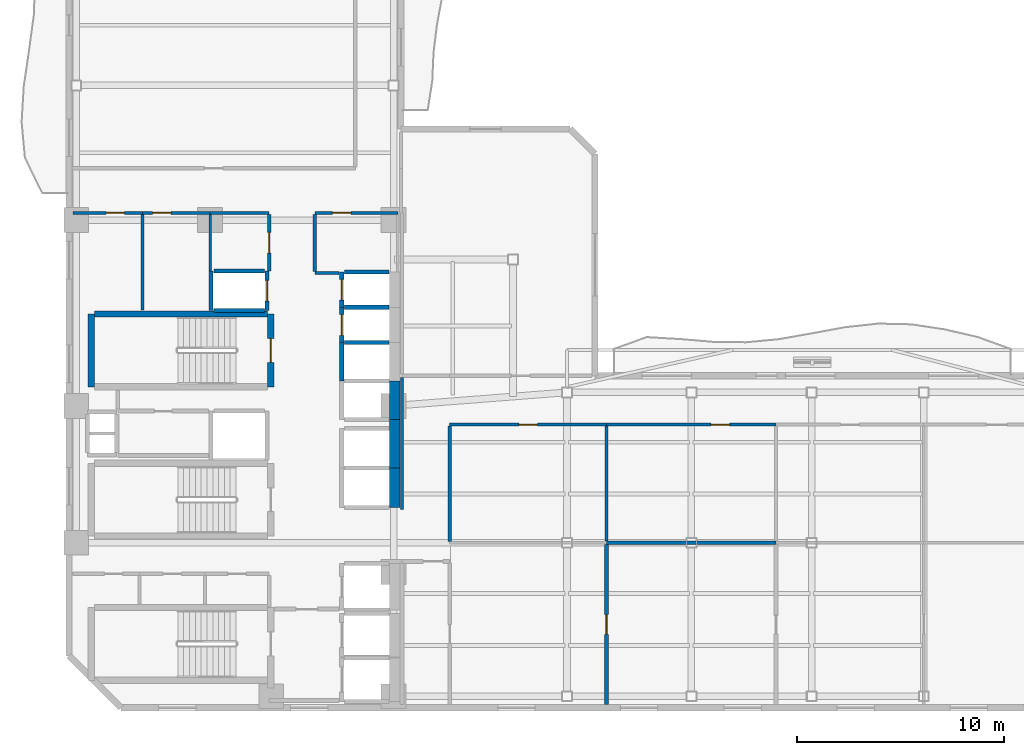
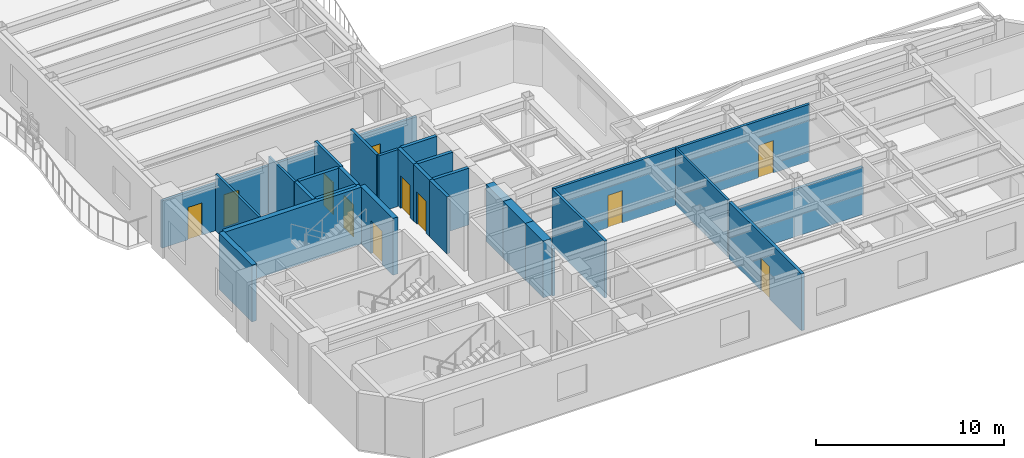
# One storey, part 4 of 9: 32 walls, 11 doors, 11 openings.
"""IFC4 building model written with IfcOpenShell, lengths in metres."""

from ifc_helpers import new_model, si_unit, direction, frame, frame_2d, origin, place, context, subcontext, project, spatial, rectangle, extrude, material, layer, layer_set, type_object, element, fill, save


model = new_model("IFC4")

# Units and contexts
model_context = context("Model", 3, precision=1e-05, world=origin(), true_north=direction((0.0, 1.0)))
body_context = subcontext(model_context, "Body", "Model", "MODEL_VIEW")
ifc_project = project(units=[si_unit("LENGTHUNIT", "METRE"), si_unit("AREAUNIT", "SQUARE_METRE"), si_unit("VOLUMEUNIT", "CUBIC_METRE"), si_unit("PLANEANGLEUNIT", "RADIAN"), si_unit("MASSUNIT", "GRAM", prefix="KILO")], contexts=[model_context])

# Site, building, storey
site_placement = place(None, origin())
site = spatial("IfcSite", under=ifc_project, at=site_placement, CompositionType="ELEMENT")
building_placement = place(site_placement, origin())
building = spatial("IfcBuilding", under=site, at=building_placement, Name="Mawjaban Terraces University", CompositionType="ELEMENT")
storey_placement = place(building_placement, frame((0.0, 0.0, 126.800048828125)))
storey = spatial("IfcBuildingStorey", under=building, at=storey_placement, Name="L30", CompositionType="ELEMENT", Elevation=126.800048828125)

# Wall
ifc_material_1 = material(Name="Acoustic masonry blockwork", Category="masonry")
ifc_layer_1 = layer(ifc_material_1, 0.179931640625)
ifc_layer_set_1 = layer_set([ifc_layer_1], Name="Acoustic masonry blockwork")
wall_type_1 = type_object("IfcWallType", Name="AcousticStudioWall_180", PredefinedType="PARTITIONING", material=ifc_layer_set_1)
wall_1_placement = place(storey_placement, frame((56.080078125, 7.949951171875, 0.0), z_axis=(0.0, 0.0, 1.0), x_axis=(-1.0, 0.0, 0.0)))
element("IfcWall", 1, at=wall_1_placement, inside=storey, type_object=wall_type_1, Name="L30 Media Workshop 4 Partition 21", PredefinedType="PARTITIONING", context=body_context, shape_type="SweptSolid", body=[
    extrude(rectangle(XDim=8.170166015625, YDim=0.179931640625, at=frame_2d((4.0849609375, 0.0))), origin(), (0.0, 0.0, 1.0), 3.073974609375),
])

# Wall, opening, door
wall_2_placement = place(storey_placement, frame((47.909912109375, 0.14501953125, 0.0), z_axis=(0.0, 0.0, 1.0), x_axis=(0.0, 1.0, 0.0)))
wall_2 = element("IfcWall", 2, at=wall_2_placement, inside=storey, type_object=wall_type_1, Name="L30 Quiet Reading Room 2 Partition 44", PredefinedType="PARTITIONING", context=body_context, shape_type="SweptSolid", body=[
    extrude(rectangle(XDim=7.719970703125, YDim=0.179931640625, at=frame_2d((3.85986328125, 0.0))), origin(), (0.0, 0.0, 1.0), 3.68994140625),
])
opening_1_placement = place(wall_2_placement, frame((3.385009765625, 0.0, 0.0)))
opening_1 = element("IfcOpeningElement", 3, at=opening_1_placement, cuts=wall_2, Name="Opening ID-095", PredefinedType="OPENING", context=body_context, shape_type="SweptSolid", body=[
    extrude(rectangle(XDim=0.949951171875, YDim=2.10009765625, at=frame_2d((0.47509765625, 1.050048828125))), frame((0.0, 0.099853515625, 0.0), z_axis=(0.0, -1.0, 0.0), x_axis=(1.0, 0.0, 0.0)), (0.0, 0.0, 1.0), 0.199951171875),
])
ifc_material_2 = material(Name="Powder-coated steel frame and solid acoustic timber leaf", Category="steel")
door_type_1 = type_object("IfcDoorType", Name="StudioDoor_950x2100", OperationType="NOTDEFINED", PredefinedType="DOOR", material=ifc_material_2)
door_1_placement = place(opening_1_placement, origin())
door_1 = element("IfcDoor", 4, at=door_1_placement, inside=storey, type_object=door_type_1, Name="L30 Media Workshop 4 Door", OperationType="SINGLE_SWING_RIGHT", OverallHeight=2.10009765625, OverallWidth=0.949951171875, PredefinedType="DOOR", context=body_context, shape_type="SweptSolid", body=[
    extrude(rectangle(XDim=0.949951171875, YDim=2.10009765625, at=frame_2d((0.47509765625, 1.050048828125))), frame((0.0, 0.02490234375, 0.0), z_axis=(0.0, -1.0, 0.0), x_axis=(1.0, 0.0, 0.0)), (0.0, 0.0, 1.0), 0.050048828125),
])
fill(opening_1, door_1)

# Walls
ifc_material_3 = material(Name="Concrete C60/75", Category="concrete")
ifc_layer_2 = layer(ifc_material_3, 0.5)
ifc_layer_set_2 = layer_set([ifc_layer_2], Name="Concrete C60/75")
wall_type_2 = type_object("IfcWallType", Name="CoreShearWall_500", PredefinedType="SHEAR", material=ifc_layer_set_2)
wall_3_placement = place(storey_placement, frame((37.699951171875, 9.64990234375, 0.0), z_axis=(0.0, 0.0, 1.0), x_axis=(0.0, 1.0, 0.0)))
element("IfcWall", 5, at=wall_3_placement, inside=storey, type_object=wall_type_2, Name="L30 Lift PL-H1 Hoistway Wall East", PredefinedType="SHEAR", context=body_context, shape_type="SweptSolid", body=[
    extrude(rectangle(XDim=1.900146484375, YDim=0.5, at=frame_2d((0.9501953125, 0.0))), origin(), (0.0, 0.0, 1.0), 3.68994140625),
])
wall_4_placement = place(storey_placement, frame((37.699951171875, 11.550048828125, 0.0), z_axis=(0.0, 0.0, 1.0), x_axis=(0.0, 1.0, 0.0)))
element("IfcWall", 6, at=wall_4_placement, inside=storey, type_object=wall_type_2, Name="L30 Lift PL-H2 Hoistway Wall East", PredefinedType="SHEAR", context=body_context, shape_type="SweptSolid", body=[
    extrude(rectangle(XDim=2.349853515625, YDim=0.5, at=frame_2d((1.1748046875, 0.0))), origin(), (0.0, 0.0, 1.0), 3.68994140625),
])
wall_5_placement = place(storey_placement, frame((37.699951171875, 13.89990234375, 0.0), z_axis=(0.0, 0.0, 1.0), x_axis=(0.0, 1.0, 0.0)))
element("IfcWall", 7, at=wall_5_placement, inside=storey, type_object=wall_type_2, Name="L30 Lift OL-1 Hoistway Wall East", PredefinedType="SHEAR", context=body_context, shape_type="SweptSolid", body=[
    extrude(rectangle(XDim=1.85009765625, YDim=0.5, at=frame_2d((0.925048828125, 0.0))), origin(), (0.0, 0.0, 1.0), 3.68994140625),
])

# Wall, opening, door
ifc_material_4 = material(Name="Fire-rated gypsum board on steel stud", Category="steel")
ifc_layer_3 = layer(ifc_material_4, 0.159912109375)
ifc_layer_set_3 = layer_set([ifc_layer_3], Name="Fire-rated gypsum board on steel stud")
wall_type_3 = type_object("IfcWallType", Name="CorridorPartition_160", PredefinedType="PARTITIONING", material=ifc_layer_set_3)
wall_6_placement = place(storey_placement, frame((25.550048828125, 23.85009765625, 0.0), z_axis=(0.0, 0.0, 1.0), x_axis=(-1.0, 0.0, 0.0)))
wall_6 = element("IfcWall", 8, at=wall_6_placement, inside=storey, type_object=wall_type_3, Name="L30 Ablution Room Partition 5", PredefinedType="PARTITIONING", context=body_context, shape_type="SweptSolid", body=[
    extrude(rectangle(XDim=3.35009765625, YDim=0.159912109375, at=frame_2d((1.675048828125, 0.0))), origin(), (0.0, 0.0, 1.0), 3.073974609375),
])
opening_2_placement = place(wall_6_placement, frame((0.885009765625, 0.0, 0.0)))
opening_2 = element("IfcOpeningElement", 9, at=opening_2_placement, cuts=wall_6, Name="Opening ID-088", PredefinedType="OPENING", context=body_context, shape_type="SweptSolid", body=[
    extrude(rectangle(XDim=0.8798828125, YDim=2.10009765625, at=frame_2d((0.43994140625, 1.050048828125))), frame((0.0, 0.08984375, 0.0), z_axis=(0.0, -1.0, 0.0), x_axis=(1.0, 0.0, 0.0)), (0.0, 0.0, 1.0), 0.179931640625),
])
door_type_2 = type_object("IfcDoorType", Name="ToiletDoor_880x2100", OperationType="NOTDEFINED", PredefinedType="DOOR", material=ifc_material_2)
door_2_placement = place(opening_2_placement, origin())
door_2 = element("IfcDoor", 10, at=door_2_placement, inside=storey, type_object=door_type_2, Name="L30 Ablution Room Door", OperationType="SINGLE_SWING_LEFT", OverallHeight=2.10009765625, OverallWidth=0.8798828125, PredefinedType="DOOR", context=body_context, shape_type="SweptSolid", body=[
    extrude(rectangle(XDim=0.8798828125, YDim=2.10009765625, at=frame_2d((0.43994140625, 1.050048828125))), frame((0.0, 0.02490234375, 0.0), z_axis=(0.0, -1.0, 0.0), x_axis=(1.0, 0.0, 0.0)), (0.0, 0.0, 1.0), 0.050048828125),
])
fill(opening_2, door_2)

wall_7_placement = place(storey_placement, frame((28.800048828125, 23.85009765625, 0.0), z_axis=(0.0, 0.0, 1.0), x_axis=(-1.0, 0.0, 0.0)))
wall_7 = element("IfcWall", 11, at=wall_7_placement, inside=storey, type_object=wall_type_3, Name="L30 Cleaner Store Partition 7", PredefinedType="PARTITIONING", context=body_context, shape_type="SweptSolid", body=[
    extrude(rectangle(XDim=3.25, YDim=0.159912109375, at=frame_2d((1.625, 0.0))), origin(), (0.0, 0.0, 1.0), 3.073974609375),
])
opening_3_placement = place(wall_7_placement, frame((1.875, 0.0, 0.0)))
opening_3 = element("IfcOpeningElement", 12, at=opening_3_placement, cuts=wall_7, Name="Opening ID-090", PredefinedType="OPENING", context=body_context, shape_type="SweptSolid", body=[
    extrude(rectangle(XDim=0.89990234375, YDim=2.10009765625, at=frame_2d((0.449951171875, 1.050048828125))), frame((0.0, 0.08984375, 0.0), z_axis=(0.0, -1.0, 0.0), x_axis=(1.0, 0.0, 0.0)), (0.0, 0.0, 1.0), 0.179931640625),
])
door_type_3 = type_object("IfcDoorType", Name="OfficeDoor_900x2100", OperationType="NOTDEFINED", PredefinedType="DOOR", material=ifc_material_2)
door_3_placement = place(opening_3_placement, origin())
door_3 = element("IfcDoor", 13, at=door_3_placement, inside=storey, type_object=door_type_3, Name="L30 Cleaner Store Door", OperationType="SINGLE_SWING_RIGHT", OverallHeight=2.10009765625, OverallWidth=0.89990234375, PredefinedType="DOOR", context=body_context, shape_type="SweptSolid", body=[
    extrude(rectangle(XDim=0.89990234375, YDim=2.10009765625, at=frame_2d((0.449951171875, 1.050048828125))), frame((0.0, 0.02490234375, 0.0), z_axis=(0.0, -1.0, 0.0), x_axis=(1.0, 0.0, 0.0)), (0.0, 0.0, 1.0), 0.050048828125),
])
fill(opening_3, door_3)

# Walls
wall_8_placement = place(storey_placement, frame((31.64990234375, 23.85009765625, 0.0), z_axis=(0.0, 0.0, 1.0), x_axis=(-1.0, 0.0, 0.0)))
element("IfcWall", 14, at=wall_8_placement, inside=storey, type_object=wall_type_3, Name="L30 Academic Tutorial Alcove Partition 9", PredefinedType="PARTITIONING", context=body_context, shape_type="SweptSolid", body=[
    extrude(rectangle(XDim=2.849853515625, YDim=0.159912109375, at=frame_2d((1.4248046875, 0.0))), origin(), (0.0, 0.0, 1.0), 3.073974609375),
])
wall_9_placement = place(storey_placement, frame((35.02001953125, 20.949951171875, 0.0), z_axis=(0.0, 0.0, 1.0), x_axis=(-1.0, 0.0, 0.0)))
element("IfcWall", 15, at=wall_9_placement, inside=storey, type_object=wall_type_3, Name="L30 Passenger Lift Lobby Partition 11", PredefinedType="PARTITIONING", context=body_context, shape_type="SweptSolid", body=[
    extrude(rectangle(XDim=1.169921875, YDim=0.159912109375, at=frame_2d((0.5849609375, 0.0))), origin(), (0.0, 0.0, 1.0), 3.68994140625),
])

# Wall, opening, door
wall_10_placement = place(storey_placement, frame((37.85009765625, 23.85009765625, 0.0), z_axis=(0.0, 0.0, 1.0), x_axis=(-1.0, 0.0, 0.0)))
wall_10 = element("IfcWall", 16, at=wall_10_placement, inside=storey, type_object=wall_type_3, Name="L30 Departmental Resource Seminar Room Partition 14", PredefinedType="PARTITIONING", context=body_context, shape_type="SweptSolid", body=[
    extrude(rectangle(XDim=4.0, YDim=0.159912109375, at=frame_2d((2.0, 0.0))), origin(), (0.0, 0.0, 1.0), 3.073974609375),
])
opening_4_placement = place(wall_10_placement, frame((2.25, 0.0, 0.0)))
opening_4 = element("IfcOpeningElement", 17, at=opening_4_placement, cuts=wall_10, Name="Opening ID-090", PredefinedType="OPENING", context=body_context, shape_type="SweptSolid", body=[
    extrude(rectangle(XDim=0.89990234375, YDim=2.10009765625, at=frame_2d((0.449951171875, 1.050048828125))), frame((0.0, 0.08984375, 0.0), z_axis=(0.0, -1.0, 0.0), x_axis=(1.0, 0.0, 0.0)), (0.0, 0.0, 1.0), 0.179931640625),
])
door_4_placement = place(opening_4_placement, origin())
door_4 = element("IfcDoor", 18, at=door_4_placement, inside=storey, type_object=door_type_3, Name="L30 Departmental Resource Seminar Room Door", OperationType="SINGLE_SWING_LEFT", OverallHeight=2.10009765625, OverallWidth=0.89990234375, PredefinedType="DOOR", context=body_context, shape_type="SweptSolid", body=[
    extrude(rectangle(XDim=0.89990234375, YDim=2.10009765625, at=frame_2d((0.449951171875, 1.050048828125))), frame((0.0, 0.02490234375, 0.0), z_axis=(0.0, -1.0, 0.0), x_axis=(1.0, 0.0, 0.0)), (0.0, 0.0, 1.0), 0.050048828125),
])
fill(opening_4, door_4)

wall_11_placement = place(storey_placement, frame((40.35009765625, 13.64990234375, 0.0), z_axis=(0.0, 0.0, 1.0), x_axis=(1.0, 0.0, 0.0)))
wall_11 = element("IfcWall", 19, at=wall_11_placement, inside=storey, type_object=wall_type_3, Name="L30 Inner Terrace Gallery Corridor East Partition 16", PredefinedType="PARTITIONING", context=body_context, shape_type="SweptSolid", body=[
    extrude(rectangle(XDim=7.559814453125, YDim=0.159912109375, at=frame_2d((3.77978515625, 0.0))), origin(), (0.0, 0.0, 1.0), 3.68994140625),
])
opening_5_placement = place(wall_11_placement, frame((3.330078125, 0.0, 0.0)))
opening_5 = element("IfcOpeningElement", 20, at=opening_5_placement, cuts=wall_11, Name="Opening ID-090", PredefinedType="OPENING", context=body_context, shape_type="SweptSolid", body=[
    extrude(rectangle(XDim=0.89990234375, YDim=2.10009765625, at=frame_2d((0.449951171875, 1.050048828125))), frame((0.0, 0.08984375, 0.0), z_axis=(0.0, -1.0, 0.0), x_axis=(1.0, 0.0, 0.0)), (0.0, 0.0, 1.0), 0.179931640625),
])
door_5_placement = place(opening_5_placement, origin())
door_5 = element("IfcDoor", 21, at=door_5_placement, inside=storey, type_object=door_type_3, Name="L30 Reading Salon 3 Door", OperationType="SINGLE_SWING_LEFT", OverallHeight=2.10009765625, OverallWidth=0.89990234375, PredefinedType="DOOR", context=body_context, shape_type="SweptSolid", body=[
    extrude(rectangle(XDim=0.89990234375, YDim=2.10009765625, at=frame_2d((0.449951171875, 1.050048828125))), frame((0.0, 0.02490234375, 0.0), z_axis=(0.0, -1.0, 0.0), x_axis=(1.0, 0.0, 0.0)), (0.0, 0.0, 1.0), 0.050048828125),
])
fill(opening_5, door_5)

wall_12_placement = place(storey_placement, frame((47.909912109375, 13.64990234375, 0.0), z_axis=(0.0, 0.0, 1.0), x_axis=(1.0, 0.0, 0.0)))
wall_12 = element("IfcWall", 22, at=wall_12_placement, inside=storey, type_object=wall_type_3, Name="L30 Inner Terrace Gallery Corridor East Partition 20", PredefinedType="PARTITIONING", context=body_context, shape_type="SweptSolid", body=[
    extrude(rectangle(XDim=8.170166015625, YDim=0.159912109375, at=frame_2d((4.0849609375, 0.0))), origin(), (0.0, 0.0, 1.0), 3.68994140625),
])
opening_6_placement = place(wall_12_placement, frame((5.034912109375, 0.0, 0.0)))
opening_6 = element("IfcOpeningElement", 23, at=opening_6_placement, cuts=wall_12, Name="Opening ID-090", PredefinedType="OPENING", context=body_context, shape_type="SweptSolid", body=[
    extrude(rectangle(XDim=0.89990234375, YDim=2.10009765625, at=frame_2d((0.449951171875, 1.050048828125))), frame((0.0, 0.08984375, 0.0), z_axis=(0.0, -1.0, 0.0), x_axis=(1.0, 0.0, 0.0)), (0.0, 0.0, 1.0), 0.179931640625),
])
door_6_placement = place(opening_6_placement, origin())
door_6 = element("IfcDoor", 24, at=door_6_placement, inside=storey, type_object=door_type_3, Name="L30 Quiet Reading Room 5 Door", OperationType="SINGLE_SWING_LEFT", OverallHeight=2.10009765625, OverallWidth=0.89990234375, PredefinedType="DOOR", context=body_context, shape_type="SweptSolid", body=[
    extrude(rectangle(XDim=0.89990234375, YDim=2.10009765625, at=frame_2d((0.449951171875, 1.050048828125))), frame((0.0, 0.02490234375, 0.0), z_axis=(0.0, -1.0, 0.0), x_axis=(1.0, 0.0, 0.0)), (0.0, 0.0, 1.0), 0.050048828125),
])
fill(opening_6, door_6)

wall_13_placement = place(storey_placement, frame((31.64990234375, 23.77490234375, 0.0), z_axis=(0.0, 0.0, 1.0), x_axis=(0.0, -1.0, 0.0)))
wall_13 = element("IfcWall", 25, at=wall_13_placement, inside=storey, type_object=wall_type_3, Name="L30 Core North Lift Lobby Partition 32", PredefinedType="PARTITIONING", context=body_context, shape_type="SweptSolid", body=[
    extrude(rectangle(XDim=2.724853515625, YDim=0.159912109375, at=frame_2d((1.3623046875, 0.0))), origin(), (0.0, 0.0, 1.0), 3.68994140625),
])
opening_7_placement = place(wall_13_placement, frame((0.862060546875, 0.0, 0.0)))
opening_7 = element("IfcOpeningElement", 26, at=opening_7_placement, cuts=wall_13, Name="Opening ID-100", PredefinedType="OPENING", context=body_context, shape_type="SweptSolid", body=[
    extrude(rectangle(XDim=1.0, YDim=2.10009765625, at=frame_2d((0.5, 1.050048828125))), frame((0.0, 0.08984375, 0.0), z_axis=(0.0, -1.0, 0.0), x_axis=(1.0, 0.0, 0.0)), (0.0, 0.0, 1.0), 0.179931640625),
])
door_type_4 = type_object("IfcDoorType", Name="ClassroomDoor_1000x2100", OperationType="NOTDEFINED", PredefinedType="DOOR", material=ifc_material_2)
door_7_placement = place(opening_7_placement, origin())
door_7 = element("IfcDoor", 27, at=door_7_placement, inside=storey, type_object=door_type_4, Name="L30 Academic Tutorial Alcove Door", OperationType="SINGLE_SWING_RIGHT", OverallHeight=2.10009765625, OverallWidth=1.0, PredefinedType="DOOR", context=body_context, shape_type="SweptSolid", body=[
    extrude(rectangle(XDim=1.0, YDim=2.10009765625, at=frame_2d((0.5, 1.050048828125))), frame((0.0, 0.02490234375, 0.0), z_axis=(0.0, -1.0, 0.0), x_axis=(1.0, 0.0, 0.0)), (0.0, 0.0, 1.0), 0.050048828125),
])
fill(opening_7, door_7)

# Walls
wall_14_placement = place(storey_placement, frame((33.85009765625, 21.02490234375, 0.0), z_axis=(0.0, 0.0, 1.0), x_axis=(0.0, 1.0, 0.0)))
element("IfcWall", 28, at=wall_14_placement, inside=storey, type_object=wall_type_3, Name="L30 Core North Lift Lobby Partition 33", PredefinedType="PARTITIONING", context=body_context, shape_type="SweptSolid", body=[
    extrude(rectangle(XDim=2.75, YDim=0.159912109375, at=frame_2d((1.375, 0.0))), origin(), (0.0, 0.0, 1.0), 3.68994140625),
])
wall_15_placement = place(storey_placement, frame((38.050048828125, 15.925048828125, 0.0), z_axis=(0.0, 0.0, 1.0), x_axis=(0.0, -1.0, 0.0)))
element("IfcWall", 29, at=wall_15_placement, inside=storey, type_object=wall_type_3, Name="L30 Inner Gallery Link Corridor Partition 40", PredefinedType="PARTITIONING", context=body_context, shape_type="SweptSolid", body=[
    extrude(rectangle(XDim=6.375, YDim=0.159912109375, at=frame_2d((3.1875, 0.0))), origin(), (0.0, 0.0, 1.0), 3.073974609375),
])
wall_16_placement = place(storey_placement, frame((40.35009765625, 8.008056640625, 0.0), z_axis=(0.0, 0.0, 1.0), x_axis=(0.0, 1.0, 0.0)))
element("IfcWall", 30, at=wall_16_placement, inside=storey, type_object=wall_type_3, Name="L30 Inner Gallery Link Corridor Partition 43", PredefinedType="PARTITIONING", context=body_context, shape_type="SweptSolid", body=[
    extrude(rectangle(XDim=5.56689453125, YDim=0.159912109375, at=frame_2d((2.783447265625, 0.0))), origin(), (0.0, 0.0, 1.0), 3.68994140625),
])
ifc_material_5 = material(Name="Concrete C40/50", Category="concrete")
ifc_layer_4 = layer(ifc_material_5, 0.199951171875)
ifc_layer_set_4 = layer_set([ifc_layer_4], Name="Concrete C40/50")
wall_type_4 = type_object("IfcWallType", Name="FireLobbyWall_200", PredefinedType="SOLIDWALL", material=ifc_layer_set_4)
wall_17_placement = place(storey_placement, frame((35.14990234375, 17.60009765625, 0.0), z_axis=(0.0, 0.0, 1.0), x_axis=(0.0, -1.0, 0.0)))
element("IfcWall", 31, at=wall_17_placement, inside=storey, type_object=wall_type_4, Name="L30 Lift OL-2 Hoistway Wall West", PredefinedType="SOLIDWALL", context=body_context, shape_type="SweptSolid", body=[
    extrude(rectangle(XDim=1.85009765625, YDim=0.199951171875, at=frame_2d((0.925048828125, 0.0))), origin(), (0.0, 0.0, 1.0), 3.68994140625),
])
wall_18_placement = place(storey_placement, frame((37.419921875, 17.60009765625, 0.0), z_axis=(0.0, 0.0, 1.0), x_axis=(-1.0, 0.0, 0.0)))
element("IfcWall", 32, at=wall_18_placement, inside=storey, type_object=wall_type_4, Name="L30 Lift OL-2 Hoistway Wall North", PredefinedType="SOLIDWALL", context=body_context, shape_type="SweptSolid", body=[
    extrude(rectangle(XDim=2.139892578125, YDim=0.199951171875, at=frame_2d((1.06982421875, 0.0))), origin(), (0.0, 0.0, 1.0), 3.68994140625),
])

# Wall, opening, door
wall_19_placement = place(storey_placement, frame((35.14990234375, 19.300048828125, 0.0), z_axis=(0.0, 0.0, 1.0), x_axis=(0.0, -1.0, 0.0)))
wall_19 = element("IfcWall", 33, at=wall_19_placement, inside=storey, type_object=wall_type_4, Name="L30 Lift PL-M1 Hoistway Wall West", PredefinedType="SOLIDWALL", context=body_context, shape_type="SweptSolid", body=[
    extrude(rectangle(XDim=1.699951171875, YDim=0.199951171875, at=frame_2d((0.85009765625, 0.0))), origin(), (0.0, 0.0, 1.0), 3.68994140625),
])
opening_8_placement = place(wall_19_placement, frame((0.35009765625, 0.0, 0.0)))
opening_8 = element("IfcOpeningElement", 34, at=opening_8_placement, cuts=wall_19, Name="Opening LD-PL-M1", PredefinedType="OPENING", context=body_context, shape_type="SweptSolid", body=[
    extrude(rectangle(XDim=1.0, YDim=2.10009765625, at=frame_2d((0.5, 1.050048828125))), frame((0.0, 0.10986328125, 0.0), z_axis=(0.0, -1.0, 0.0), x_axis=(1.0, 0.0, 0.0)), (0.0, 0.0, 1.0), 0.219970703125),
])
ifc_material_6 = material(Name="Powder-coated steel frame and fire-rated steel-faced leaf", Category="steel")
door_type_5 = type_object("IfcDoorType", Name="LiftLandingSliding_1000x2100", OperationType="NOTDEFINED", PredefinedType="DOOR", material=ifc_material_6)
door_8_placement = place(opening_8_placement, origin())
door_8 = element("IfcDoor", 35, at=door_8_placement, inside=storey, type_object=door_type_5, Name="L30 Lift PL-M1 Sliding Landing Door", OperationType="DOUBLE_DOOR_SLIDING", OverallHeight=2.10009765625, OverallWidth=1.0, PredefinedType="DOOR", context=body_context, shape_type="SweptSolid", body=[
    extrude(rectangle(XDim=1.0, YDim=2.10009765625, at=frame_2d((0.5, 1.050048828125))), frame((0.0, 0.02490234375, 0.0), z_axis=(0.0, -1.0, 0.0), x_axis=(1.0, 0.0, 0.0)), (0.0, 0.0, 1.0), 0.050048828125),
])
fill(opening_8, door_8)

# Wall
wall_20_placement = place(storey_placement, frame((37.419921875, 19.300048828125, 0.0), z_axis=(0.0, 0.0, 1.0), x_axis=(-1.0, 0.0, 0.0)))
element("IfcWall", 36, at=wall_20_placement, inside=storey, type_object=wall_type_4, Name="L30 Lift PL-M1 Hoistway Wall North", PredefinedType="SOLIDWALL", context=body_context, shape_type="SweptSolid", body=[
    extrude(rectangle(XDim=2.139892578125, YDim=0.199951171875, at=frame_2d((1.06982421875, 0.0))), origin(), (0.0, 0.0, 1.0), 3.68994140625),
])

# Wall, opening, door
wall_21_placement = place(storey_placement, frame((35.14990234375, 21.0, 0.0), z_axis=(0.0, 0.0, 1.0), x_axis=(0.0, -1.0, 0.0)))
wall_21 = element("IfcWall", 37, at=wall_21_placement, inside=storey, type_object=wall_type_4, Name="L30 Lift PL-M2 Hoistway Wall West", PredefinedType="SOLIDWALL", context=body_context, shape_type="SweptSolid", body=[
    extrude(rectangle(XDim=1.699951171875, YDim=0.199951171875, at=frame_2d((0.85009765625, 0.0))), origin(), (0.0, 0.0, 1.0), 3.68994140625),
])
opening_9_placement = place(wall_21_placement, frame((0.35009765625, 0.0, 0.0)))
opening_9 = element("IfcOpeningElement", 38, at=opening_9_placement, cuts=wall_21, Name="Opening LD-PL-M2", PredefinedType="OPENING", context=body_context, shape_type="SweptSolid", body=[
    extrude(rectangle(XDim=1.0, YDim=2.10009765625, at=frame_2d((0.5, 1.050048828125))), frame((0.0, 0.10986328125, 0.0), z_axis=(0.0, -1.0, 0.0), x_axis=(1.0, 0.0, 0.0)), (0.0, 0.0, 1.0), 0.219970703125),
])
door_9_placement = place(opening_9_placement, origin())
door_9 = element("IfcDoor", 39, at=door_9_placement, inside=storey, type_object=door_type_5, Name="L30 Lift PL-M2 Sliding Landing Door", OperationType="DOUBLE_DOOR_SLIDING", OverallHeight=2.10009765625, OverallWidth=1.0, PredefinedType="DOOR", context=body_context, shape_type="SweptSolid", body=[
    extrude(rectangle(XDim=1.0, YDim=2.10009765625, at=frame_2d((0.5, 1.050048828125))), frame((0.0, 0.02490234375, 0.0), z_axis=(0.0, -1.0, 0.0), x_axis=(1.0, 0.0, 0.0)), (0.0, 0.0, 1.0), 0.050048828125),
])
fill(opening_9, door_9)

# Walls
wall_22_placement = place(storey_placement, frame((37.419921875, 21.0, 0.0), z_axis=(0.0, 0.0, 1.0), x_axis=(-1.0, 0.0, 0.0)))
element("IfcWall", 40, at=wall_22_placement, inside=storey, type_object=wall_type_4, Name="L30 Lift PL-M2 Hoistway Wall North", PredefinedType="SOLIDWALL", context=body_context, shape_type="SweptSolid", body=[
    extrude(rectangle(XDim=2.139892578125, YDim=0.199951171875, at=frame_2d((1.06982421875, 0.0))), origin(), (0.0, 0.0, 1.0), 3.68994140625),
])
wall_23_placement = place(storey_placement, frame((28.85009765625, 21.050048828125, 0.0), z_axis=(0.0, 0.0, 1.0), x_axis=(0.0, -1.0, 0.0)))
element("IfcWall", 41, at=wall_23_placement, inside=storey, type_object=wall_type_4, Name="L30 Lift PL-M3 Hoistway Wall West", PredefinedType="SOLIDWALL", context=body_context, shape_type="SweptSolid", body=[
    extrude(rectangle(XDim=1.900146484375, YDim=0.199951171875, at=frame_2d((0.9501953125, 0.0))), origin(), (0.0, 0.0, 1.0), 3.68994140625),
])

# Wall, opening, door
wall_24_placement = place(storey_placement, frame((31.550048828125, 19.14990234375, 0.0), z_axis=(0.0, 0.0, 1.0), x_axis=(0.0, 1.0, 0.0)))
wall_24 = element("IfcWall", 42, at=wall_24_placement, inside=storey, type_object=wall_type_4, Name="L30 Lift PL-M3 Hoistway Wall East", PredefinedType="SOLIDWALL", context=body_context, shape_type="SweptSolid", body=[
    extrude(rectangle(XDim=1.900146484375, YDim=0.199951171875, at=frame_2d((0.9501953125, 0.0))), origin(), (0.0, 0.0, 1.0), 3.68994140625),
])
opening_10_placement = place(wall_24_placement, frame((0.449951171875, 0.0, 0.0)))
opening_10 = element("IfcOpeningElement", 43, at=opening_10_placement, cuts=wall_24, Name="Opening LD-PL-M3", PredefinedType="OPENING", context=body_context, shape_type="SweptSolid", body=[
    extrude(rectangle(XDim=1.0, YDim=2.10009765625, at=frame_2d((0.5, 1.050048828125))), frame((0.0, 0.10986328125, 0.0), z_axis=(0.0, -1.0, 0.0), x_axis=(1.0, 0.0, 0.0)), (0.0, 0.0, 1.0), 0.219970703125),
])
door_10_placement = place(opening_10_placement, origin())
door_10 = element("IfcDoor", 44, at=door_10_placement, inside=storey, type_object=door_type_5, Name="L30 Lift PL-M3 Sliding Landing Door", OperationType="DOUBLE_DOOR_SLIDING", OverallHeight=2.10009765625, OverallWidth=1.0, PredefinedType="DOOR", context=body_context, shape_type="SweptSolid", body=[
    extrude(rectangle(XDim=1.0, YDim=2.10009765625, at=frame_2d((0.5, 1.050048828125))), frame((0.0, 0.02490234375, 0.0), z_axis=(0.0, -1.0, 0.0), x_axis=(1.0, 0.0, 0.0)), (0.0, 0.0, 1.0), 0.050048828125),
])
fill(opening_10, door_10)

# Walls
for number, where, z_axis, x_axis, name in (
    (45, (28.97998046875, 19.14990234375, 0.0), (0.0, 0.0, 1.0), (1.0, 0.0, 0.0), "L30 Lift PL-M3 Hoistway Wall South"),
    (46, (31.419921875, 21.050048828125, 0.0), (0.0, 0.0, 1.0), (-1.0, 0.0, 0.0), "L30 Lift PL-M3 Hoistway Wall North"),
):
    element("IfcWall", number, at=place(storey_placement, frame(where, z_axis=z_axis, x_axis=x_axis)), inside=storey, type_object=wall_type_4, Name=name, PredefinedType="SOLIDWALL", context=body_context, shape_type="SweptSolid", body=[
        extrude(rectangle(XDim=2.43994140625, YDim=0.199951171875, at=frame_2d((1.219970703125, 0.0))), origin(), (0.0, 0.0, 1.0), 3.68994140625),
    ])
ifc_material_7 = material(Name="Gypsum plasterboard on steel stud", Category="steel")
ifc_layer_5 = layer(ifc_material_7, 0.125)
ifc_layer_set_5 = layer_set([ifc_layer_5], Name="Gypsum plasterboard on steel stud")
wall_type_5 = type_object("IfcWallType", Name="OfficePartition_125", PredefinedType="PARTITIONING", material=ifc_layer_set_5)
wall_25_placement = place(storey_placement, frame((28.800048828125, 23.77490234375, 0.0), z_axis=(0.0, 0.0, 1.0), x_axis=(0.0, -1.0, 0.0)))
element("IfcWall", 47, at=wall_25_placement, inside=storey, type_object=wall_type_5, Name="L30 Academic Tutorial Alcove Partition 30", PredefinedType="PARTITIONING", context=body_context, shape_type="SweptSolid", body=[
    extrude(rectangle(XDim=2.724853515625, YDim=0.125, at=frame_2d((1.3623046875, 0.0))), origin(), (0.0, 0.0, 1.0), 3.68994140625),
])
wall_26_placement = place(storey_placement, frame((47.909912109375, 8.034912109375, 0.0), z_axis=(0.0, 0.0, 1.0), x_axis=(0.0, 1.0, 0.0)))
element("IfcWall", 48, at=wall_26_placement, inside=storey, type_object=wall_type_5, Name="L30 Reading Salon 3 Partition 45", PredefinedType="PARTITIONING", context=body_context, shape_type="SweptSolid", body=[
    extrude(rectangle(XDim=5.5400390625, YDim=0.125, at=frame_2d((2.77001953125, 0.0))), origin(), (0.0, 0.0, 1.0), 3.68994140625),
])
ifc_layer_6 = layer(ifc_material_3, 0.300048828125)
ifc_layer_set_6 = layer_set([ifc_layer_6], Name="Concrete C60/75")
wall_type_6 = type_object("IfcWallType", Name="StairShaftWall_300", PredefinedType="SHEAR", material=ifc_layer_set_6)
wall_27_placement = place(storey_placement, frame((31.580078125, 18.97998046875, 0.0), z_axis=(0.0, 0.0, 1.0), x_axis=(-1.0, 0.0, 0.0)))
element("IfcWall", 49, at=wall_27_placement, inside=storey, type_object=wall_type_6, Name="L30 ST-2 Stair Shaft Wall 1", PredefinedType="SHEAR", context=body_context, shape_type="SweptSolid", body=[
    extrude(rectangle(XDim=8.360107421875, YDim=0.300048828125, at=frame_2d((4.18017578125, 0.0))), origin(), (0.0, 0.0, 1.0), 3.68994140625),
])
wall_28_placement = place(storey_placement, frame((23.070068359375, 18.97998046875, 0.0), z_axis=(0.0, 0.0, 1.0), x_axis=(0.0, -1.0, 0.0)))
element("IfcWall", 50, at=wall_28_placement, inside=storey, type_object=wall_type_6, Name="L30 ST-2 Stair Shaft Wall 2", PredefinedType="SHEAR", context=body_context, shape_type="SweptSolid", body=[
    extrude(rectangle(XDim=3.510009765625, YDim=0.300048828125, at=frame_2d((1.7548828125, 0.0))), origin(), (0.0, 0.0, 1.0), 3.68994140625),
])

# Wall, opening, door
wall_29_placement = place(storey_placement, frame((31.72998046875, 15.469970703125, 0.0), z_axis=(0.0, 0.0, 1.0), x_axis=(0.0, 1.0, 0.0)))
wall_29 = element("IfcWall", 51, at=wall_29_placement, inside=storey, type_object=wall_type_6, Name="L30 ST-2 Stair Shaft Wall 4", PredefinedType="SHEAR", context=body_context, shape_type="SweptSolid", body=[
    extrude(rectangle(XDim=3.510009765625, YDim=0.300048828125, at=frame_2d((1.7548828125, 0.0))), origin(), (0.0, 0.0, 1.0), 3.68994140625),
])
opening_11_placement = place(wall_29_placement, frame((1.179931640625, 0.0, 0.0)))
opening_11 = element("IfcOpeningElement", 52, at=opening_11_placement, cuts=wall_29, Name="Opening FD-115", PredefinedType="OPENING", context=body_context, shape_type="SweptSolid", body=[
    extrude(rectangle(XDim=1.14990234375, YDim=2.14990234375, at=frame_2d((0.574951171875, 1.074951171875))), frame((0.0, 0.159912109375, 0.0), z_axis=(0.0, -1.0, 0.0), x_axis=(1.0, 0.0, 0.0)), (0.0, 0.0, 1.0), 0.320068359375),
])
door_type_6 = type_object("IfcDoorType", Name="FireStairDoor_1150x2150", OperationType="NOTDEFINED", PredefinedType="DOOR", material=ifc_material_6)
door_11_placement = place(opening_11_placement, origin())
door_11 = element("IfcDoor", 53, at=door_11_placement, inside=storey, type_object=door_type_6, Name="L30 ST-2 Pressurised Stair Fire Door", OperationType="SINGLE_SWING_RIGHT", OverallHeight=2.14990234375, OverallWidth=1.14990234375, PredefinedType="DOOR", context=body_context, shape_type="SweptSolid", body=[
    extrude(rectangle(XDim=1.14990234375, YDim=2.14990234375, at=frame_2d((0.574951171875, 1.074951171875))), frame((0.0, 0.02490234375, 0.0), z_axis=(0.0, -1.0, 0.0), x_axis=(1.0, 0.0, 0.0)), (0.0, 0.0, 1.0), 0.050048828125),
])
fill(opening_11, door_11)

# Wall
ifc_material_8 = material(Name="Cement-board wet-room partition", Category="masonry")
ifc_layer_7 = layer(ifc_material_8, 0.135009765625)
ifc_layer_set_7 = layer_set([ifc_layer_7], Name="Cement-board wet-room partition")
wall_type_7 = type_object("IfcWallType", Name="WetRoomPartition_135", PredefinedType="PARTITIONING", material=ifc_layer_set_7)
wall_30_placement = place(storey_placement, frame((25.550048828125, 19.159912109375, 0.0), z_axis=(0.0, 0.0, 1.0), x_axis=(0.0, 1.0, 0.0)))
element("IfcWall", 54, at=wall_30_placement, inside=storey, type_object=wall_type_7, Name="L30 Ablution Room Partition 28", PredefinedType="PARTITIONING", context=body_context, shape_type="SweptSolid", body=[
    extrude(rectangle(XDim=4.614990234375, YDim=0.135009765625, at=frame_2d((2.3076171875, 0.0))), origin(), (0.0, 0.0, 1.0), 3.68994140625),
])

save(model, "model.ifc")
